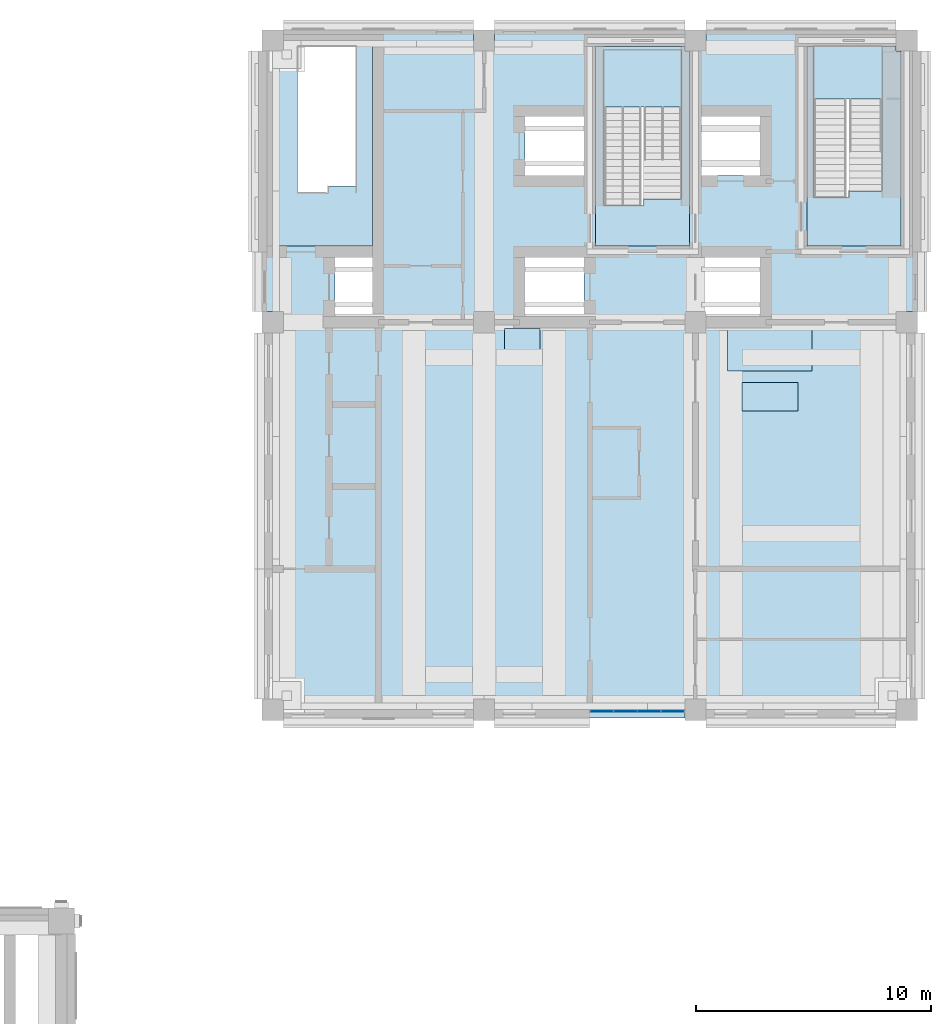
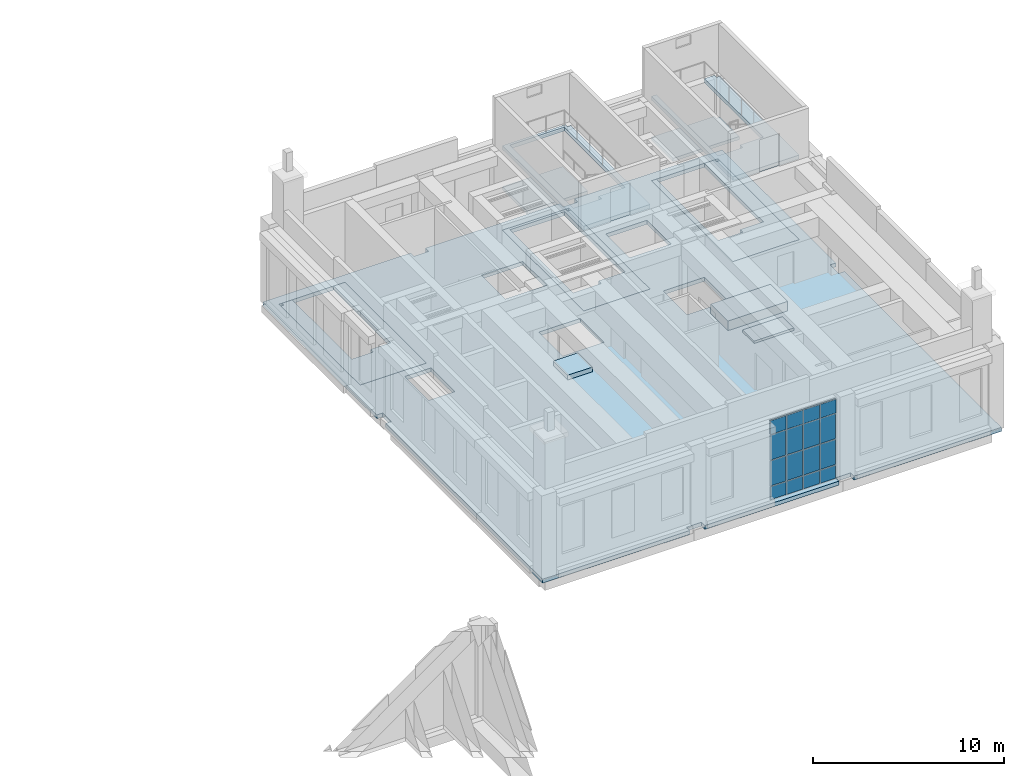
# One storey, part 11 of 22: 16 plates, 11 slabs, 3 elements without a shape of their own.
"""IFC4 building model written with IfcOpenShell, lengths in metres."""

from ifc_helpers import new_model, si_unit, direction, frame, origin, origin_2d, place, context, subcontext, project, spatial, polyline, rectangle, outline, extrude, material, layer, layer_set, type_object, element, aggregate, save


model = new_model("IFC4")

# Units and contexts
model_context = context("Model", 3, precision=1e-05, world=origin(), true_north=direction((0.0, 1.0)))
body_context = subcontext(model_context, "Body", "Model", "MODEL_VIEW")
ifc_project = project(units=[si_unit("LENGTHUNIT", "METRE"), si_unit("AREAUNIT", "SQUARE_METRE"), si_unit("VOLUMEUNIT", "CUBIC_METRE"), si_unit("PLANEANGLEUNIT", "RADIAN"), si_unit("MASSUNIT", "GRAM", prefix="KILO")], contexts=[model_context])

# Site, building, storey
site_placement = place(None, origin())
site = spatial("IfcSite", under=ifc_project, at=site_placement, CompositionType="ELEMENT")
building_placement = place(site_placement, origin())
building = spatial("IfcBuilding", under=site, at=building_placement, Name="Aurelan Courthouse", CompositionType="ELEMENT")
storey_placement = place(building_placement, frame((0.0, 0.0, 39.0)))
storey = spatial("IfcBuildingStorey", under=building, at=storey_placement, Name="L07", CompositionType="ELEMENT", Elevation=39.0)

# Curtain wall, plates
ifc_material_1 = material(Name="Bronze-finished aluminium and glass", Category="aluminium")
ifc_layer_1 = layer(ifc_material_1, 0.14990234375)
ifc_layer_set_1 = layer_set([ifc_layer_1], Name="Bronze-finished aluminium and glass")
curtain_wall_type = type_object("IfcCurtainWallType", Name="Curtain wall 4050 x 5150", PredefinedType="NOTDEFINED", material=ifc_layer_set_1)
curtain_wall_placement = place(storey_placement, origin())
curtain_wall = element("IfcCurtainWall", 1, at=curtain_wall_placement, inside=storey, type_object=curtain_wall_type, Name="Curtain wall CW-V2-L07-S01", PredefinedType="NOTDEFINED")
ifc_material_2 = material(Name="Bronze-finished aluminium", Category="aluminium")
ifc_layer_2 = layer(ifc_material_2, 0.080078125)
ifc_layer_set_2 = layer_set([ifc_layer_2], Name="Bronze-finished aluminium")
plate_type_1 = type_object("IfcPlateType", Name="Bronze spandrel panel 80", PredefinedType="CURTAIN_PANEL", material=ifc_layer_set_2)
plate_1_placement = place(storey_placement, frame((50.018798828125, 37.425048828125, 4.22509765625), z_axis=(0.0, 0.0, 1.0), x_axis=(1.0, 0.0, 0.0)))
plate_1 = element("IfcPlate", 2, at=plate_1_placement, type_object=plate_type_1, Name="CW-V2-L07-S01 spandrel panel 1.4", PredefinedType="CURTAIN_PANEL", context=body_context, shape_type="SweptSolid", body=[
    extrude(rectangle(XDim=0.9375, YDim=0.080078125, at=origin_2d()), origin(), (0.0, 0.0, 1.0), 0.875),
])
plate_2_placement = place(storey_placement, frame((51.018798828125, 37.425048828125, 4.22509765625), z_axis=(0.0, 0.0, 1.0), x_axis=(1.0, 0.0, 0.0)))
plate_2 = element("IfcPlate", 3, at=plate_2_placement, type_object=plate_type_1, Name="CW-V2-L07-S01 spandrel panel 2.4", PredefinedType="CURTAIN_PANEL", context=body_context, shape_type="SweptSolid", body=[
    extrude(rectangle(XDim=0.96240234375, YDim=0.080078125, at=origin_2d()), origin(), (0.0, 0.0, 1.0), 0.875),
])
plate_3_placement = place(storey_placement, frame((52.03125, 37.425048828125, 4.22509765625), z_axis=(0.0, 0.0, 1.0), x_axis=(1.0, 0.0, 0.0)))
plate_3 = element("IfcPlate", 4, at=plate_3_placement, type_object=plate_type_1, Name="CW-V2-L07-S01 spandrel panel 3.4", PredefinedType="CURTAIN_PANEL", context=body_context, shape_type="SweptSolid", body=[
    extrude(rectangle(XDim=0.96240234375, YDim=0.080078125, at=origin_2d()), origin(), (0.0, 0.0, 1.0), 0.875),
])
plate_4_placement = place(storey_placement, frame((53.03125, 37.425048828125, 4.22509765625), z_axis=(0.0, 0.0, 1.0), x_axis=(1.0, 0.0, 0.0)))
plate_4 = element("IfcPlate", 5, at=plate_4_placement, type_object=plate_type_1, Name="CW-V2-L07-S01 spandrel panel 4.4", PredefinedType="CURTAIN_PANEL", context=body_context, shape_type="SweptSolid", body=[
    extrude(rectangle(XDim=0.9375, YDim=0.080078125, at=origin_2d()), origin(), (0.0, 0.0, 1.0), 0.875),
])

# Slabs
ifc_material_3 = material(Name="Concrete C30", Category="concrete")
ifc_layer_3 = layer(ifc_material_3, 0.14990234375)
ifc_layer_set_3 = layer_set([ifc_layer_3], Name="Concrete C30")
slab_type_1 = type_object("IfcSlabType", Name="Clerk's dais 150", PredefinedType="FLOOR", material=ifc_layer_set_3)
slab_1_placement = place(storey_placement, origin())
element("IfcSlab", 6, at=slab_1_placement, inside=storey, type_object=slab_type_1, Name="Clerk's dais Appeal Courtroom 2.07.01", PredefinedType="FLOOR", context=body_context, shape_type="SweptSolid", body=[
    extrude(outline(polyline([(55.97509765625, 50.22509765625), (58.375, 50.22509765625), (58.375, 51.425048828125), (55.97509765625, 51.425048828125), (55.97509765625, 50.22509765625)])), origin(), (0.0, 0.0, 1.0), 0.14990234375),
])
ifc_layer_4 = layer(ifc_material_3, 0.610107421875)
ifc_layer_set_4 = layer_set([ifc_layer_4], Name="Concrete C30")
slab_type_2 = type_object("IfcSlabType", Name="Judge's bench dais 610", PredefinedType="FLOOR", material=ifc_layer_set_4)
slab_2_placement = place(storey_placement, origin())
element("IfcSlab", 7, at=slab_2_placement, inside=storey, type_object=slab_type_2, Name="Judge's bench dais Appeal Courtroom 2.07.01", PredefinedType="FLOOR", context=body_context, shape_type="SweptSolid", body=[
    extrude(outline(polyline([(55.375, 51.925048828125), (58.97509765625, 51.925048828125), (58.97509765625, 53.72509765625), (55.375, 53.72509765625), (55.375, 51.925048828125)])), origin(), (0.0, 0.0, 1.0), 0.610107421875),
])
ifc_material_4 = material(Name="Concrete C40", Category="concrete")
ifc_layer_5 = layer(ifc_material_4, 0.25)
ifc_layer_set_5 = layer_set([ifc_layer_5], Name="Concrete C40")
slab_type_3 = type_object("IfcSlabType", Name="PT floor slab 250", PredefinedType="FLOOR", material=ifc_layer_set_5)
slab_3_placement = place(storey_placement, frame((0.0, 0.0, -0.25)))
element("IfcSlab", 8, at=slab_3_placement, inside=storey, type_object=slab_type_3, Name="Floor slab SL-L07-01", PredefinedType="FLOOR", context=body_context, shape_type="SweptSolid", body=[
    extrude(outline(polyline([(35.64990234375, 66.35009765625), (35.64990234375, 65.550048828125), (35.64990234375, 54.449951171875), (36.0, 54.449951171875), (36.0, 53.550048828125), (35.64990234375, 53.550048828125), (35.64990234375, 37.949951171875), (35.64990234375, 37.14990234375), (36.449951171875, 37.14990234375), (44.550048828125, 37.14990234375), (44.550048828125, 37.5), (45.449951171875, 37.5), (45.449951171875, 37.14990234375), (53.550048828125, 37.14990234375), (53.550048828125, 37.5), (54.449951171875, 37.5), (54.449951171875, 37.14990234375), (62.550048828125, 37.14990234375), (63.35009765625, 37.14990234375), (63.35009765625, 37.949951171875), (63.35009765625, 53.550048828125), (63.0, 53.550048828125), (63.0, 54.449951171875), (63.35009765625, 54.449951171875), (63.35009765625, 65.550048828125), (63.35009765625, 66.35009765625), (62.550048828125, 66.35009765625), (54.449951171875, 66.35009765625), (54.449951171875, 66.0), (53.550048828125, 66.0), (53.550048828125, 66.35009765625), (45.449951171875, 66.35009765625), (45.449951171875, 66.0), (44.550048828125, 66.0), (44.550048828125, 66.35009765625), (36.449951171875, 66.35009765625), (35.64990234375, 66.35009765625)]), holes=[polyline([(58.75, 65.75), (62.75, 65.75), (62.75, 57.25), (58.75, 57.25), (58.75, 65.75)]), polyline([(56.75, 56.75), (56.75, 54.25), (54.25, 54.25), (54.25, 56.75), (56.75, 56.75)]), polyline([(56.75, 60.25), (54.25, 60.25), (54.25, 62.75), (56.75, 62.75), (56.75, 60.25)]), polyline([(49.75, 57.25), (49.75, 65.75), (53.75, 65.75), (53.75, 57.25), (49.75, 57.25)]), polyline([(46.75, 56.75), (49.25, 56.75), (49.25, 54.25), (46.75, 54.25), (46.75, 56.75)]), polyline([(46.75, 60.25), (46.75, 62.75), (49.25, 62.75), (49.25, 60.25), (46.75, 60.25)]), polyline([(40.25, 56.75), (40.25, 54.25), (38.64990234375, 54.25), (38.64990234375, 56.75), (40.25, 56.75)]), polyline([(40.25, 57.25), (36.25, 57.25), (36.25, 65.75), (40.25, 65.75), (40.25, 57.25)])]), origin(), (0.0, 0.0, 1.0), 0.25),
])

# Plate
ifc_layer_6 = layer(ifc_material_2, 0.0400390625)
ifc_layer_set_6 = layer_set([ifc_layer_6], Name="Bronze-finished aluminium")
plate_type_2 = type_object("IfcPlateType", Name="Sill panel 40", PredefinedType="CURTAIN_PANEL", material=ifc_layer_set_6)
plate_5_placement = place(storey_placement, frame((50.018798828125, 37.425048828125, 0.0498046875), z_axis=(0.0, 0.0, 1.0), x_axis=(1.0, 0.0, 0.0)))
plate_5 = element("IfcPlate", 9, at=plate_5_placement, type_object=plate_type_2, Name="CW-V2-L07-S01 sill panel 1.1", PredefinedType="CURTAIN_PANEL", context=body_context, shape_type="SweptSolid", body=[
    extrude(rectangle(XDim=0.9375, YDim=0.0400390625, at=origin_2d()), origin(), (0.0, 0.0, 1.0), 0.824951171875),
])

plate_6_placement = place(storey_placement, frame((51.018798828125, 37.425048828125, 0.0498046875), z_axis=(0.0, 0.0, 1.0), x_axis=(1.0, 0.0, 0.0)))
plate_6 = element("IfcPlate", 10, at=plate_6_placement, type_object=plate_type_2, Name="CW-V2-L07-S01 sill panel 2.1", PredefinedType="CURTAIN_PANEL", context=body_context, shape_type="SweptSolid", body=[
    extrude(rectangle(XDim=0.96240234375, YDim=0.0400390625, at=origin_2d()), origin(), (0.0, 0.0, 1.0), 0.824951171875),
])

plate_7_placement = place(storey_placement, frame((52.03125, 37.425048828125, 0.0498046875), z_axis=(0.0, 0.0, 1.0), x_axis=(1.0, 0.0, 0.0)))
plate_7 = element("IfcPlate", 11, at=plate_7_placement, type_object=plate_type_2, Name="CW-V2-L07-S01 sill panel 3.1", PredefinedType="CURTAIN_PANEL", context=body_context, shape_type="SweptSolid", body=[
    extrude(rectangle(XDim=0.96240234375, YDim=0.0400390625, at=origin_2d()), origin(), (0.0, 0.0, 1.0), 0.824951171875),
])

plate_8_placement = place(storey_placement, frame((53.03125, 37.425048828125, 0.0498046875), z_axis=(0.0, 0.0, 1.0), x_axis=(1.0, 0.0, 0.0)))
plate_8 = element("IfcPlate", 12, at=plate_8_placement, type_object=plate_type_2, Name="CW-V2-L07-S01 sill panel 4.1", PredefinedType="CURTAIN_PANEL", context=body_context, shape_type="SweptSolid", body=[
    extrude(rectangle(XDim=0.9375, YDim=0.0400390625, at=origin_2d()), origin(), (0.0, 0.0, 1.0), 0.824951171875),
])

# Slab
ifc_layer_7 = layer(ifc_material_3, 0.25)
ifc_layer_set_7 = layer_set([ifc_layer_7], Name="Concrete C30")
slab_type_4 = type_object("IfcSlabType", Name="Stair floor landing 250 thick", PredefinedType="LANDING", material=ifc_layer_set_7)
slab_4_placement = place(storey_placement, frame((0.0, 0.0, -0.25)))
element("IfcSlab", 13, at=slab_4_placement, inside=storey, type_object=slab_type_4, Name="Stair CS-2 landing L07", PredefinedType="LANDING", context=body_context, shape_type="SweptSolid", body=[
    extrude(outline(polyline([(37.06005859375, 59.510986328125), (38.360107421875, 59.510986328125), (38.360107421875, 59.791015625), (39.56005859375, 59.791015625), (39.56005859375, 65.75), (40.25, 65.75), (40.25, 57.25), (36.25, 57.25), (36.25, 65.550048828125), (36.449951171875, 65.550048828125), (36.449951171875, 65.75), (37.06005859375, 65.75), (37.06005859375, 59.510986328125)])), origin(), (0.0, 0.0, 1.0), 0.25),
])

# Stair, slab
stair_type_1 = type_object("IfcStairType", Name="Half-turn stair 1600 wide 31 risers", PredefinedType="HALF_TURN_STAIR", material=ifc_material_3)
stair_1_placement = place(storey_placement, origin())
stair_1 = element("IfcStair", 14, at=stair_1_placement, inside=storey, type_object=stair_type_1, Name="Stair ST-2A-L07", PredefinedType="HALF_TURN_STAIR")
slab_5_placement = place(storey_placement, frame((0.0, 0.0, -0.25)))
slab_5 = element("IfcSlab", 15, at=slab_5_placement, type_object=slab_type_4, Name="Stair ST-2A-L07 floor landing", PredefinedType="LANDING", context=body_context, shape_type="SweptSolid", body=[
    extrude(outline(polyline([(53.75, 57.25), (49.75, 57.25), (49.75, 65.590087890625), (49.75, 65.60009765625), (49.75, 65.75), (53.550048828125, 65.75), (53.550048828125, 65.550048828125), (53.75, 65.550048828125), (53.75, 57.25)]), holes=[polyline([(51.800048828125, 58.9609375), (51.800048828125, 59.240966796875), (53.39990234375, 59.240966796875), (53.39990234375, 65.590087890625), (50.10009765625, 65.590087890625), (50.10009765625, 58.9609375), (51.800048828125, 58.9609375)])]), origin(), (0.0, 0.0, 1.0), 0.25),
])

# Slab
slab_6_placement = place(storey_placement, frame((0.0, 0.0, 5.14990234375)))
element("IfcSlab", 16, at=slab_6_placement, inside=storey, type_object=slab_type_4, Name="Stair ST-2A head landing", PredefinedType="LANDING", context=body_context, shape_type="SweptSolid", body=[
    extrude(outline(polyline([(53.75, 57.25), (49.75, 57.25), (49.75, 65.590087890625), (49.75, 65.60009765625), (49.75, 65.75), (53.550048828125, 65.75), (53.550048828125, 65.550048828125), (53.75, 65.550048828125), (53.75, 57.25)]), holes=[polyline([(51.800048828125, 58.9609375), (51.800048828125, 59.240966796875), (53.39990234375, 59.240966796875), (53.39990234375, 65.590087890625), (50.10009765625, 65.590087890625), (50.10009765625, 58.9609375), (51.800048828125, 58.9609375)])]), origin(), (0.0, 0.0, 1.0), 0.25),
])

# Stair, slab
stair_type_2 = type_object("IfcStairType", Name="Half-turn stair 1400 wide 31 risers", PredefinedType="HALF_TURN_STAIR", material=ifc_material_3)
stair_2_placement = place(storey_placement, origin())
stair_2 = element("IfcStair", 17, at=stair_2_placement, inside=storey, type_object=stair_type_2, Name="Stair ST-2E-L07", PredefinedType="HALF_TURN_STAIR")
slab_7_placement = place(storey_placement, frame((0.0, 0.0, -0.25)))
slab_7 = element("IfcSlab", 18, at=slab_7_placement, type_object=slab_type_4, Name="Stair ST-2E-L07 floor landing", PredefinedType="LANDING", context=body_context, shape_type="SweptSolid", body=[
    extrude(outline(polyline([(59.0400390625, 59.31103515625), (60.5400390625, 59.31103515625), (60.5400390625, 59.591064453125), (61.93994140625, 59.591064453125), (61.93994140625, 65.75), (62.550048828125, 65.75), (62.550048828125, 65.550048828125), (62.75, 65.550048828125), (62.75, 57.25), (58.75, 57.25), (58.75, 65.75), (59.0400390625, 65.75), (59.0400390625, 59.31103515625)])), origin(), (0.0, 0.0, 1.0), 0.25),
])

# Slab
slab_8_placement = place(storey_placement, frame((0.0, 0.0, 5.14990234375)))
element("IfcSlab", 19, at=slab_8_placement, inside=storey, type_object=slab_type_4, Name="Stair ST-2E head landing", PredefinedType="LANDING", context=body_context, shape_type="SweptSolid", body=[
    extrude(outline(polyline([(59.0400390625, 59.31103515625), (60.5400390625, 59.31103515625), (60.5400390625, 59.591064453125), (61.93994140625, 59.591064453125), (61.93994140625, 65.75), (62.550048828125, 65.75), (62.550048828125, 65.550048828125), (62.75, 65.550048828125), (62.75, 57.25), (58.75, 57.25), (58.75, 65.75), (59.0400390625, 65.75), (59.0400390625, 59.31103515625)])), origin(), (0.0, 0.0, 1.0), 0.25),
])

ifc_layer_8 = layer(ifc_material_3, 0.199951171875)
ifc_layer_set_8 = layer_set([ifc_layer_8], Name="Concrete C30")
slab_type_5 = type_object("IfcSlabType", Name="Stair half landing 200 thick", PredefinedType="LANDING", material=ifc_layer_set_8)
slab_9_placement = place(storey_placement, frame((0.0, 0.0, 2.587158203125)))
slab_9 = element("IfcSlab", 20, at=slab_9_placement, type_object=slab_type_5, Name="Stair ST-2A-L07 half landing", PredefinedType="LANDING", context=body_context, shape_type="SweptSolid", body=[
    extrude(outline(polyline([(49.75, 63.159912109375), (49.75, 65.75), (53.39990234375, 65.75), (53.39990234375, 63.159912109375), (49.75, 63.159912109375)])), origin(), (0.0, 0.0, 1.0), 0.199951171875),
])

aggregate(stair_1, [slab_9, slab_5])

slab_10_placement = place(storey_placement, frame((0.0, 0.0, 2.587158203125)))
slab_10 = element("IfcSlab", 21, at=slab_10_placement, type_object=slab_type_5, Name="Stair ST-2E-L07 half landing", PredefinedType="LANDING", context=body_context, shape_type="SweptSolid", body=[
    extrude(outline(polyline([(58.75, 65.75), (62.550048828125, 65.75), (62.550048828125, 65.550048828125), (62.75, 65.550048828125), (62.75, 63.510009765625), (58.75, 63.510009765625), (58.75, 65.75)])), origin(), (0.0, 0.0, 1.0), 0.199951171875),
])

aggregate(stair_2, [slab_10, slab_7])

# Plate
ifc_material_5 = material(Name="Laminated low-emissivity glass", Category="glass")
ifc_layer_9 = layer(ifc_material_5, 0.02392578125)
ifc_layer_set_9 = layer_set([ifc_layer_9], Name="Laminated low-emissivity glass")
plate_type_3 = type_object("IfcPlateType", Name="Vision glass panel 24", PredefinedType="CURTAIN_PANEL", material=ifc_layer_set_9)
plate_9_placement = place(storey_placement, frame((50.018798828125, 37.425048828125, 0.925048828125), z_axis=(0.0, 0.0, 1.0), x_axis=(1.0, 0.0, 0.0)))
plate_9 = element("IfcPlate", 22, at=plate_9_placement, type_object=plate_type_3, Name="CW-V2-L07-S01 vision panel 1.2", PredefinedType="CURTAIN_PANEL", context=body_context, shape_type="SweptSolid", body=[
    extrude(rectangle(XDim=0.9375, YDim=0.02392578125, at=origin_2d()), origin(), (0.0, 0.0, 1.0), 1.60009765625),
])

plate_10_placement = place(storey_placement, frame((50.018798828125, 37.425048828125, 2.574951171875), z_axis=(0.0, 0.0, 1.0), x_axis=(1.0, 0.0, 0.0)))
plate_10 = element("IfcPlate", 23, at=plate_10_placement, type_object=plate_type_3, Name="CW-V2-L07-S01 vision panel 1.3", PredefinedType="CURTAIN_PANEL", context=body_context, shape_type="SweptSolid", body=[
    extrude(rectangle(XDim=0.9375, YDim=0.02392578125, at=origin_2d()), origin(), (0.0, 0.0, 1.0), 1.60009765625),
])

plate_11_placement = place(storey_placement, frame((51.018798828125, 37.425048828125, 0.925048828125), z_axis=(0.0, 0.0, 1.0), x_axis=(1.0, 0.0, 0.0)))
plate_11 = element("IfcPlate", 24, at=plate_11_placement, type_object=plate_type_3, Name="CW-V2-L07-S01 vision panel 2.2", PredefinedType="CURTAIN_PANEL", context=body_context, shape_type="SweptSolid", body=[
    extrude(rectangle(XDim=0.96240234375, YDim=0.02392578125, at=origin_2d()), origin(), (0.0, 0.0, 1.0), 1.60009765625),
])

plate_12_placement = place(storey_placement, frame((51.018798828125, 37.425048828125, 2.574951171875), z_axis=(0.0, 0.0, 1.0), x_axis=(1.0, 0.0, 0.0)))
plate_12 = element("IfcPlate", 25, at=plate_12_placement, type_object=plate_type_3, Name="CW-V2-L07-S01 vision panel 2.3", PredefinedType="CURTAIN_PANEL", context=body_context, shape_type="SweptSolid", body=[
    extrude(rectangle(XDim=0.96240234375, YDim=0.02392578125, at=origin_2d()), origin(), (0.0, 0.0, 1.0), 1.60009765625),
])

plate_13_placement = place(storey_placement, frame((52.03125, 37.425048828125, 0.925048828125), z_axis=(0.0, 0.0, 1.0), x_axis=(1.0, 0.0, 0.0)))
plate_13 = element("IfcPlate", 26, at=plate_13_placement, type_object=plate_type_3, Name="CW-V2-L07-S01 vision panel 3.2", PredefinedType="CURTAIN_PANEL", context=body_context, shape_type="SweptSolid", body=[
    extrude(rectangle(XDim=0.96240234375, YDim=0.02392578125, at=origin_2d()), origin(), (0.0, 0.0, 1.0), 1.60009765625),
])

plate_14_placement = place(storey_placement, frame((52.03125, 37.425048828125, 2.574951171875), z_axis=(0.0, 0.0, 1.0), x_axis=(1.0, 0.0, 0.0)))
plate_14 = element("IfcPlate", 27, at=plate_14_placement, type_object=plate_type_3, Name="CW-V2-L07-S01 vision panel 3.3", PredefinedType="CURTAIN_PANEL", context=body_context, shape_type="SweptSolid", body=[
    extrude(rectangle(XDim=0.96240234375, YDim=0.02392578125, at=origin_2d()), origin(), (0.0, 0.0, 1.0), 1.60009765625),
])

plate_15_placement = place(storey_placement, frame((53.03125, 37.425048828125, 0.925048828125), z_axis=(0.0, 0.0, 1.0), x_axis=(1.0, 0.0, 0.0)))
plate_15 = element("IfcPlate", 28, at=plate_15_placement, type_object=plate_type_3, Name="CW-V2-L07-S01 vision panel 4.2", PredefinedType="CURTAIN_PANEL", context=body_context, shape_type="SweptSolid", body=[
    extrude(rectangle(XDim=0.9375, YDim=0.02392578125, at=origin_2d()), origin(), (0.0, 0.0, 1.0), 1.60009765625),
])

plate_16_placement = place(storey_placement, frame((53.03125, 37.425048828125, 2.574951171875), z_axis=(0.0, 0.0, 1.0), x_axis=(1.0, 0.0, 0.0)))
plate_16 = element("IfcPlate", 29, at=plate_16_placement, type_object=plate_type_3, Name="CW-V2-L07-S01 vision panel 4.3", PredefinedType="CURTAIN_PANEL", context=body_context, shape_type="SweptSolid", body=[
    extrude(rectangle(XDim=0.9375, YDim=0.02392578125, at=origin_2d()), origin(), (0.0, 0.0, 1.0), 1.60009765625),
])

aggregate(curtain_wall, [plate_5, plate_9, plate_10, plate_1, plate_6, plate_11, plate_12, plate_2, plate_7, plate_13, plate_14, plate_3, plate_8, plate_15, plate_16, plate_4])

# Slab
ifc_layer_10 = layer(ifc_material_3, 0.300048828125)
ifc_layer_set_10 = layer_set([ifc_layer_10], Name="Concrete C30")
slab_type_6 = type_object("IfcSlabType", Name="Witness dais 300", PredefinedType="FLOOR", material=ifc_layer_set_10)
slab_11_placement = place(storey_placement, origin())
element("IfcSlab", 30, at=slab_11_placement, inside=storey, type_object=slab_type_6, Name="Witness dais Criminal Appeal Courtroom 2.07.01", PredefinedType="FLOOR", context=body_context, shape_type="SweptSolid", body=[
    extrude(outline(polyline([(45.875, 52.22509765625), (47.375, 52.22509765625), (47.375, 53.72509765625), (45.875, 53.72509765625), (45.875, 52.22509765625)])), origin(), (0.0, 0.0, 1.0), 0.300048828125),
])

save(model, "model.ifc")
